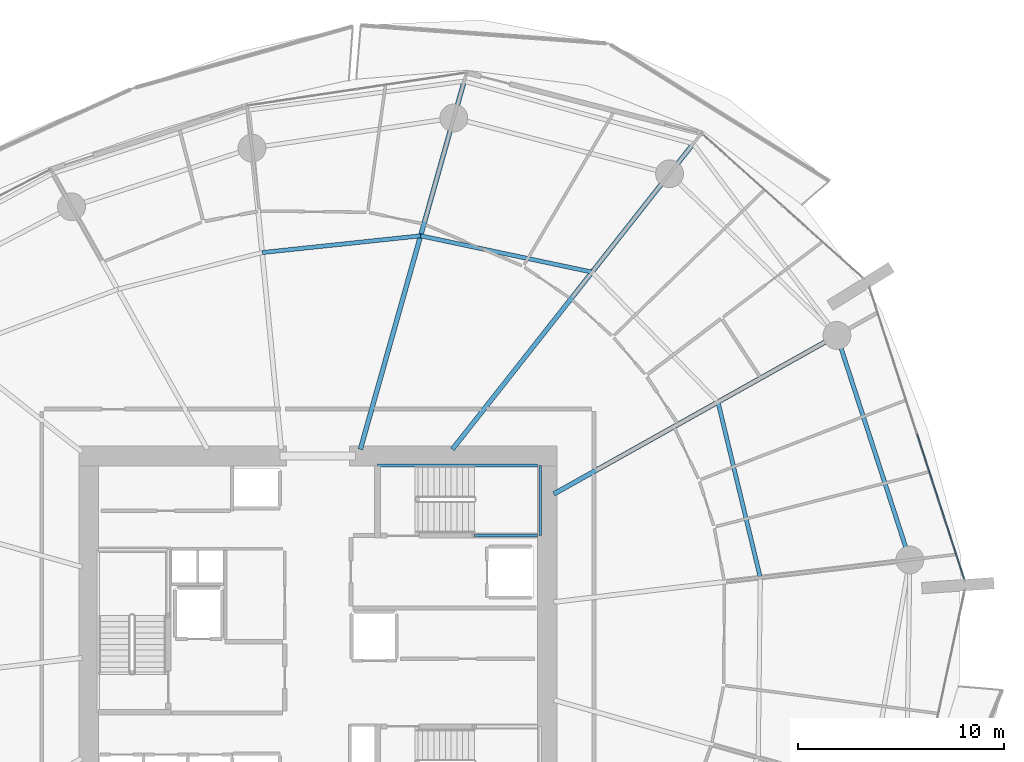
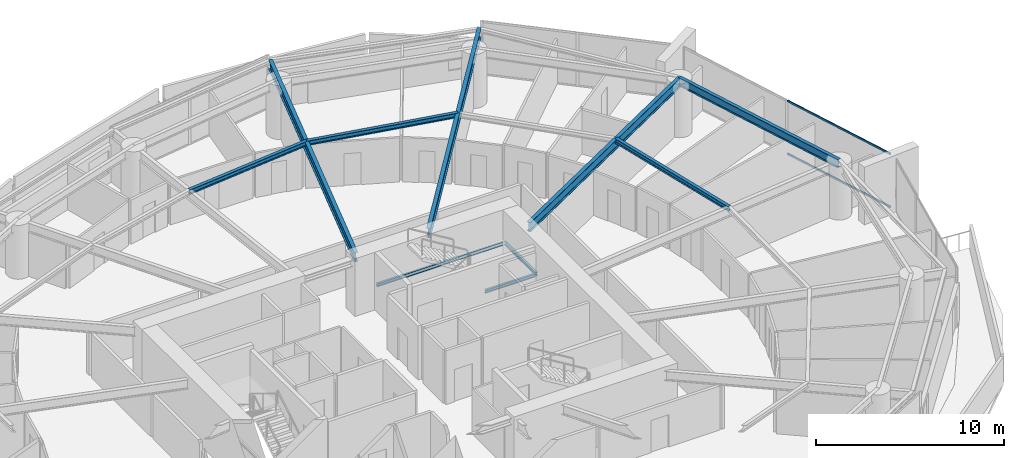
# One storey, part 14 of 31: 10 beams, 2 members, 1 element without a shape of its own.
"""IFC4 building model written with IfcOpenShell, lengths in metres."""

import ifcopenshell
import ifcopenshell.guid

model = None  # the IFC model being written
_history = None  # IfcOwnerHistory: only IFC2X3 demands one
_inside = {}  # id of a spatial element -> (the spatial element, [elements in it])
_under = {}  # id of a project, library or spatial element -> (it, [spatial elements below it])
_declared = {}  # id of a project -> (the project, [libraries it declares])
_typed = {}  # id of a type object -> (the type object, [elements of that type])
_made_of = {}  # id of a material, layer set ... -> (it, [elements and type objects made of it])


def new_model(schema):
    """Start an empty IFC model of exactly this schema.

    Asked for "IFC4X3", IfcOpenShell would pick the latest addendum, in which some entities
    have other attributes; the version numbers below select the first issue.
    IFC2X3 requires an IfcOwnerHistory on every rooted entity: one is made here for all.
    """
    global model, _history
    if schema == "IFC4X3":
        model = ifcopenshell.file(schema_version=(4, 3, 0, 0))
    else:
        model = ifcopenshell.file(schema=schema)
    _inside.clear()
    _under.clear()
    _declared.clear()
    _typed.clear()
    _made_of.clear()
    _history = None
    if model.schema == "IFC2X3":
        org = make("IfcOrganization", Name="unknown")
        user = make(
            "IfcPersonAndOrganization",
            ThePerson=make("IfcPerson", FamilyName="unknown"),
            TheOrganization=org,
        )
        app = make(
            "IfcApplication",
            ApplicationDeveloper=org,
            Version="unknown",
            ApplicationFullName="unknown",
            ApplicationIdentifier="unknown",
        )
        _history = make(
            "IfcOwnerHistory",
            OwningUser=user,
            OwningApplication=app,
            ChangeAction="ADDED",
            CreationDate=0,
        )
    return model


def make(cls, **values):
    """One entity of the class cls with the attributes given. An attribute that is None is left unset."""
    return model.create_entity(
        cls, **{name: value for name, value in values.items() if value is not None}
    )


def rooted(cls, **values):
    """An entity with a GlobalId (a new one), such as an element, a storey or a relation."""
    return make(cls, GlobalId=ifcopenshell.guid.new(), OwnerHistory=_history, **values)


def si_unit(unit_type, name, prefix=None):
    """IfcSIUnit, for example si_unit("LENGTHUNIT", "METRE", prefix="MILLI")."""
    return make("IfcSIUnit", UnitType=unit_type, Prefix=prefix, Name=name)


def assignment(units):
    """IfcUnitAssignment: the units of a project."""
    return None if units is None else make("IfcUnitAssignment", Units=units)


def point(xyz):
    """IfcCartesianPoint."""
    return None if xyz is None else make("IfcCartesianPoint", Coordinates=xyz)


def direction(xyz):
    """IfcDirection."""
    return None if xyz is None else make("IfcDirection", DirectionRatios=xyz)


def frame(location, z_axis=None, x_axis=None):
    """IfcAxis2Placement3D, a coordinate frame: its origin and axes. An axis left out is left unset."""
    return make(
        "IfcAxis2Placement3D",
        Location=point(location),
        Axis=direction(z_axis),
        RefDirection=direction(x_axis),
    )


def frame_2d(location, x_axis=None):
    """IfcAxis2Placement2D, a coordinate frame in the plane: its origin and x axis."""
    return make(
        "IfcAxis2Placement2D", Location=point(location), RefDirection=direction(x_axis)
    )


def origin():
    """The frame at (0, 0, 0) with its axes left unset."""
    return frame((0.0, 0.0, 0.0))


def origin_2d():
    """The frame at (0, 0) in the plane with its x axis left unset."""
    return frame_2d((0.0, 0.0))


def place(relative_to, where):
    """IfcLocalPlacement: puts the frame where relative to a parent placement (None: the world)."""
    return make(
        "IfcLocalPlacement", PlacementRelTo=relative_to, RelativePlacement=where
    )


def context(
    kind, dimensions, precision=None, world=None, true_north=None, identifier=None
):
    """IfcGeometricRepresentationContext, for example the 3D "Model" context."""
    return make(
        "IfcGeometricRepresentationContext",
        ContextIdentifier=identifier,
        ContextType=kind,
        CoordinateSpaceDimension=dimensions,
        Precision=precision,
        WorldCoordinateSystem=world,
        TrueNorth=true_north,
    )


def subcontext(parent, identifier, kind, view, scale=None):
    """IfcGeometricRepresentationSubContext, for example "Body" below "Model"."""
    return make(
        "IfcGeometricRepresentationSubContext",
        ContextIdentifier=identifier,
        ContextType=kind,
        ParentContext=parent,
        TargetScale=scale,
        TargetView=view,
    )


def project(units=None, contexts=None):
    """IfcProject with its units and contexts."""
    return rooted(
        "IfcProject",
        Name="project",
        RepresentationContexts=contexts,
        UnitsInContext=assignment(units),
    )


def spatial(cls, under=None, at=None, **own):
    """A site, building, storey or space (cls), placed at a placement, below another one or the project."""
    s = rooted(cls, ObjectPlacement=at, **own)
    if under is not None:
        _under.setdefault(under.id(), (under, []))[1].append(s)
    return s


def profile(cls, at=None, kind="AREA", **sizes):
    """A parametric profile (cls). Its sizes go by their IFC names, for example OverallWidth=200.0."""
    return make(cls, ProfileType=kind, Position=at, **sizes)


def rectangle(**sizes):
    """IfcRectangleProfileDef."""
    return profile("IfcRectangleProfileDef", **sizes)


def i_section(**sizes):
    """IfcIShapeProfileDef."""
    return profile("IfcIShapeProfileDef", **sizes)


def extrude(swept, where, along, depth):
    """IfcExtrudedAreaSolid: the profile swept, set in the frame where, extruded along a direction by depth."""
    return make(
        "IfcExtrudedAreaSolid",
        SweptArea=swept,
        Position=where,
        ExtrudedDirection=direction(along),
        Depth=depth,
    )


def shape(context_of_items, identifier, shape_type, items):
    """IfcShapeRepresentation: the items that make up one representation, for example the "Body"."""
    return make(
        "IfcShapeRepresentation",
        ContextOfItems=context_of_items,
        RepresentationIdentifier=identifier,
        RepresentationType=shape_type,
        Items=items,
    )


def material(Name=None, Category=None):
    """IfcMaterial."""
    return make("IfcMaterial", Name=Name, Category=Category)


def layer(
    of_material, thickness, ventilated=None, Name=None, Category=None, Priority=None
):
    """IfcMaterialLayer: one layer of a wall or slab, of a material (None: an air gap)."""
    return make(
        "IfcMaterialLayer",
        Material=of_material,
        LayerThickness=thickness,
        IsVentilated=ventilated,
        Name=Name,
        Category=Category,
        Priority=Priority,
    )


def layer_set(layers, Name=None):
    """IfcMaterialLayerSet."""
    return make("IfcMaterialLayerSet", MaterialLayers=layers, LayerSetName=Name)


def material_profile(
    of_material, cross_section, Name=None, Category=None, Priority=None
):
    """IfcMaterialProfile: a cross section and its material."""
    return make(
        "IfcMaterialProfile",
        Name=Name,
        Material=of_material,
        Profile=cross_section,
        Priority=Priority,
        Category=Category,
    )


def profile_set(profiles, Name=None, composite=None):
    """IfcMaterialProfileSet."""
    return make(
        "IfcMaterialProfileSet",
        Name=Name,
        MaterialProfiles=profiles,
        CompositeProfile=composite,
    )


def made_of(thing, what):
    """Note that an element or type object is made of a material, layer set ...; save() writes the relation."""
    if what is not None:
        _made_of.setdefault(what.id(), (what, []))[1].append(thing)
    return thing


def type_object(cls, material=None, **own):
    """A type object (cls), such as IfcWallType, which elements share."""
    return made_of(rooted(cls, **own), material)


def element(
    cls,
    number,
    at=None,
    inside=None,
    cuts=None,
    type_object=None,
    material=None,
    context=None,
    identifier="Body",
    shape_type=None,
    held_by="IfcProductDefinitionShape",
    body=None,
    shapes=None,
    **own,
):
    """One element of the class cls, such as IfcWall. Its Tag is "e" and its number.

    at: its placement. inside: the storey or other place that contains it. cuts: it is an
    opening in that element (IfcRelVoidsElement). A single representation is given by context,
    identifier, shape_type and body (its items); several are given by shapes. held_by: the class
    of the entity that holds the representations. save() writes the other relations.
    """
    e = rooted(cls, Tag="e%d" % number, ObjectPlacement=at, **own)
    if body is not None:
        shapes = [shape(context, identifier, shape_type, body)]
    if shapes is not None:
        e.Representation = make(held_by, Representations=shapes)
    if inside is not None:
        _inside.setdefault(inside.id(), (inside, []))[1].append(e)
    if cuts is not None:
        rooted(
            "IfcRelVoidsElement", RelatingBuildingElement=cuts, RelatedOpeningElement=e
        )
    if type_object is not None:
        _typed.setdefault(type_object.id(), (type_object, []))[1].append(e)
    return made_of(e, material)


def aggregate(whole, parts):
    """IfcRelAggregates: a whole, such as a stair, and the parts it consists of."""
    return rooted("IfcRelAggregates", RelatingObject=whole, RelatedObjects=parts)


def save(model, path):
    """Write the relations noted so far, then the file.

    IfcRelAggregates (storeys below a building ...), IfcRelContainedInSpatialStructure (elements
    in a storey), IfcRelDefinesByType, IfcRelAssociatesMaterial and IfcRelDeclares: one each for
    every whole, place, type object, material and project.
    """
    for whole, parts in _under.values():
        aggregate(whole, parts)
    for where, things in _inside.values():
        rooted(
            "IfcRelContainedInSpatialStructure",
            RelatedElements=things,
            RelatingStructure=where,
        )
    for kind, things in _typed.values():
        rooted("IfcRelDefinesByType", RelatedObjects=things, RelatingType=kind)
    for what, things in _made_of.values():
        rooted("IfcRelAssociatesMaterial", RelatedObjects=things, RelatingMaterial=what)
    for by, libraries in _declared.values():
        rooted("IfcRelDeclares", RelatingContext=by, RelatedDefinitions=libraries)
    model.write(path)


model = new_model("IFC4")

# Units and contexts
model_context = context("Model", 3, precision=1e-05, world=origin(), true_north=direction((0.0, 1.0)))
body_context = subcontext(model_context, "Body", "Model", "MODEL_VIEW")
ifc_project = project(units=[si_unit("LENGTHUNIT", "METRE"), si_unit("AREAUNIT", "SQUARE_METRE"), si_unit("VOLUMEUNIT", "CUBIC_METRE"), si_unit("PLANEANGLEUNIT", "RADIAN"), si_unit("MASSUNIT", "GRAM", prefix="KILO")], contexts=[model_context])

# Site, building, storey
site_placement = place(None, origin())
site = spatial("IfcSite", under=ifc_project, at=site_placement, CompositionType="ELEMENT")
building_placement = place(site_placement, origin())
building = spatial("IfcBuilding", under=site, at=building_placement, Name="Kazma Halo Residences", CompositionType="ELEMENT")
storey_placement = place(building_placement, frame((0.0, 0.0, 33.89990234375)))
storey = spatial("IfcBuildingStorey", under=building, at=storey_placement, Name="L07", CompositionType="ELEMENT", Elevation=33.89990234375)

# Beams
ifc_material_1 = material(Name="Steel S355", Category="steel")
ifc_material_profile_1 = material_profile(ifc_material_1, i_section(OverallWidth=0.22802734375, OverallDepth=0.60791015625, WebThickness=0.01123046875, FlangeThickness=0.017333984375, FilletRadius=0.01806640625, at=origin_2d()), Name="W610x113")
ifc_profile_set_1 = profile_set([ifc_material_profile_1], Name="Steel S355")
beam_type_1 = type_object("IfcBeamType", Name="BM-RAD-W610", PredefinedType="BEAM", material=ifc_profile_set_1)
beam_1_placement = place(storey_placement, frame((59.85009765625, 48.63623046875, 3.196044921875), z_axis=(0.872489859828, 0.48863221803, 0.0), x_axis=(-0.48863221803, 0.872489859828, 0.0)))
element("IfcBeam", 1, at=beam_1_placement, inside=storey, type_object=beam_type_1, Name="L07 radial floor beam 01", PredefinedType="BEAM", context=body_context, shape_type="SweptSolid", body=[
    extrude(i_section(OverallWidth=0.22802734375, OverallDepth=0.60791015625, WebThickness=0.01123046875, FlangeThickness=0.017333984375, FilletRadius=0.01806640625, at=origin_2d()), origin(), (0.0, 0.0, 1.0), 15.71923828125),
])
beam_2_placement = place(storey_placement, frame((54.9375, 50.800048828125, 3.196044921875), z_axis=(0.619092154321, 0.785318345932, 0.0), x_axis=(-0.785318345932, 0.619092154321, 0.0)))
element("IfcBeam", 2, at=beam_2_placement, inside=storey, type_object=beam_type_1, Name="L07 radial floor beam 02", PredefinedType="BEAM", context=body_context, shape_type="SweptSolid", body=[
    extrude(i_section(OverallWidth=0.22802734375, OverallDepth=0.60791015625, WebThickness=0.01123046875, FlangeThickness=0.017333984375, FilletRadius=0.01806640625, at=origin_2d()), origin(), (0.0, 0.0, 1.0), 18.84375),
])
beam_3_placement = place(storey_placement, frame((50.48193359375, 50.800048828125, 3.196044921875), z_axis=(0.271442010129, 0.962454796412, 0.0), x_axis=(-0.962454796412, 0.271442010129, 0.0)))
element("IfcBeam", 3, at=beam_3_placement, inside=storey, type_object=beam_type_1, Name="L07 radial floor beam 03", PredefinedType="BEAM", context=body_context, shape_type="SweptSolid", body=[
    extrude(i_section(OverallWidth=0.22802734375, OverallDepth=0.60791015625, WebThickness=0.01123046875, FlangeThickness=0.017333984375, FilletRadius=0.01806640625, at=origin_2d()), origin(), (0.0, 0.0, 1.0), 18.525390625),
])
ifc_material_profile_2 = material_profile(ifc_material_1, i_section(OverallWidth=0.202880859375, OverallDepth=0.302978515625, WebThickness=0.007568359375, FlangeThickness=0.01318359375, FilletRadius=0.013916015625, at=origin_2d()), Name="W310x60")
ifc_profile_set_2 = profile_set([ifc_material_profile_2], Name="Steel S355")
beam_type_2 = type_object("IfcBeamType", Name="BM-SEC-W310A", PredefinedType="JOIST", material=ifc_profile_set_2)
beam_4_placement = place(storey_placement, frame((61.703857421875, 59.383056640625, 3.3486328125), z_axis=(-0.97831665719, 0.207114746615, 0.0), x_axis=(-0.207114746615, -0.97831665719, 0.0)))
element("IfcBeam", 4, at=beam_4_placement, inside=storey, type_object=beam_type_2, Name="L07 circumferential floor joist 02", PredefinedType="JOIST", context=body_context, shape_type="SweptSolid", body=[
    extrude(i_section(OverallWidth=0.202880859375, OverallDepth=0.302978515625, WebThickness=0.007568359375, FlangeThickness=0.01318359375, FilletRadius=0.013916015625, at=origin_2d()), origin(), (0.0, 0.0, 1.0), 8.489501953125),
])
beam_5_placement = place(storey_placement, frame((53.3984375, 61.141357421875, 3.3486328125), z_axis=(-0.994456114777, -0.10515244069, 0.0), x_axis=(0.10515244069, -0.994456114777, 0.0)))
element("IfcBeam", 5, at=beam_5_placement, inside=storey, type_object=beam_type_2, Name="L07 circumferential floor joist 03", PredefinedType="JOIST", context=body_context, shape_type="SweptSolid", body=[
    extrude(i_section(OverallWidth=0.202880859375, OverallDepth=0.302978515625, WebThickness=0.007568359375, FlangeThickness=0.01318359375, FilletRadius=0.013916015625, at=origin_2d()), origin(), (0.0, 0.0, 1.0), 7.717529296875),
])
beam_6_placement = place(storey_placement, frame((69.853759765625, 44.586669921875, 3.3486328125), z_axis=(-0.234233116199, 0.972180460242, 0.0), x_axis=(-0.972180460242, -0.234233116199, 0.0)))
element("IfcBeam", 6, at=beam_6_placement, inside=storey, type_object=beam_type_2, Name="L07 circumferential floor joist 16", PredefinedType="JOIST", context=body_context, shape_type="SweptSolid", body=[
    extrude(i_section(OverallWidth=0.202880859375, OverallDepth=0.302978515625, WebThickness=0.007568359375, FlangeThickness=0.01318359375, FilletRadius=0.013916015625, at=origin_2d()), origin(), (0.0, 0.0, 1.0), 8.748046875),
])
ifc_material_profile_3 = material_profile(ifc_material_1, i_section(OverallWidth=0.208984375, OverallDepth=0.532958984375, WebThickness=0.01025390625, FlangeThickness=0.015625, FilletRadius=0.01611328125, at=origin_2d()), Name="W530x92")
ifc_profile_set_3 = profile_set([ifc_material_profile_3], Name="Steel S355")
beam_type_3 = type_object("IfcBeamType", Name="BM-SPN-W530", PredefinedType="BEAM", material=ifc_profile_set_3)
beam_7_placement = place(storey_placement, frame((77.097900390625, 45.444091796875, 3.233642578125), z_axis=(-0.309024264898, 0.951054153928, 0.0), x_axis=(-0.951054153928, -0.309024264898, 0.0)))
element("IfcBeam", 7, at=beam_7_placement, inside=storey, type_object=beam_type_3, Name="L07 perimeter ring beam 16", PredefinedType="BEAM", context=body_context, shape_type="SweptSolid", body=[
    extrude(i_section(OverallWidth=0.208984375, OverallDepth=0.532958984375, WebThickness=0.01025390625, FlangeThickness=0.015625, FilletRadius=0.01611328125, at=origin_2d()), origin(), (0.0, 0.0, 1.0), 11.4326171875),
])
ifc_material_profile_4 = material_profile(ifc_material_1, i_section(OverallWidth=0.133056640625, OverallDepth=0.20703125, WebThickness=0.005859375, FlangeThickness=0.00830078125, FilletRadius=0.010009765625, at=origin_2d()), Name="W200x26.6")
ifc_profile_set_4 = profile_set([ifc_material_profile_4], Name="Steel S355")
beam_type_4 = type_object("IfcBeamType", Name="BM-TRIM-W200", PredefinedType="BEAM", material=ifc_profile_set_4)
beam_8_placement = place(storey_placement, frame((51.31005859375, 50.02001953125, 1.570068359375), z_axis=(1.0, 0.0, 0.0), x_axis=(0.0, 1.0, 0.0)))
element("IfcBeam", 8, at=beam_8_placement, inside=storey, type_object=beam_type_4, Name="L07 ST-02 landing north wall ledger", PredefinedType="BEAM", context=body_context, shape_type="SweptSolid", body=[
    extrude(i_section(OverallWidth=0.133056640625, OverallDepth=0.20703125, WebThickness=0.005859375, FlangeThickness=0.00830078125, FilletRadius=0.010009765625, at=origin_2d()), origin(), (0.0, 0.0, 1.0), 7.760009765625),
])
beam_9_placement = place(storey_placement, frame((56.0, 46.6201171875, 1.570068359375), z_axis=(1.0, 0.0, 0.0), x_axis=(0.0, 1.0, 0.0)))
element("IfcBeam", 9, at=beam_9_placement, inside=storey, type_object=beam_type_4, Name="L07 ST-02 landing south wall ledger", PredefinedType="BEAM", context=body_context, shape_type="SweptSolid", body=[
    extrude(i_section(OverallWidth=0.133056640625, OverallDepth=0.20703125, WebThickness=0.005859375, FlangeThickness=0.00830078125, FilletRadius=0.010009765625, at=origin_2d()), origin(), (0.0, 0.0, 1.0), 3.070068359375),
])
beam_10_placement = place(storey_placement, frame((59.18994140625, 46.6201171875, 1.570068359375), z_axis=(0.0, 1.0, 0.0), x_axis=(-1.0, 0.0, 0.0)))
element("IfcBeam", 10, at=beam_10_placement, inside=storey, type_object=beam_type_4, Name="L07 ST-02 landing end wall ledger", PredefinedType="BEAM", context=body_context, shape_type="SweptSolid", body=[
    extrude(i_section(OverallWidth=0.133056640625, OverallDepth=0.20703125, WebThickness=0.005859375, FlangeThickness=0.00830078125, FilletRadius=0.010009765625, at=origin_2d()), origin(), (0.0, 0.0, 1.0), 3.39990234375),
])

# Curtain wall, members
ifc_material_2 = material(Name="Aluminium AW-6063 T6 and Triple-Silver Low-E Glass", Category="aluminium")
ifc_layer = layer(ifc_material_2, 0.159912109375)
ifc_layer_set = layer_set([ifc_layer], Name="Aluminium AW-6063 T6 and Triple-Silver Low-E Glass")
curtain_wall_type = type_object("IfcCurtainWallType", Name="CW-SYS-2", PredefinedType="NOTDEFINED", material=ifc_layer_set)
curtain_wall_placement = place(storey_placement, origin())
curtain_wall = element("IfcCurtainWall", 11, at=curtain_wall_placement, inside=storey, type_object=curtain_wall_type, Name="L07 unitised curtain wall B16", PredefinedType="NOTDEFINED")
ifc_material_3 = material(Name="Aluminium AW-6063 T6", Category="aluminium")
ifc_material_profile_5 = material_profile(ifc_material_3, rectangle(XDim=0.06005859375, YDim=0.1201171875, at=origin_2d()), Name="CWT-60x120")
ifc_profile_set_5 = profile_set([ifc_material_profile_5], Name="Aluminium AW-6063 T6")
member_type = type_object("IfcMemberType", Name="CW-SYS-2-TRN", PredefinedType="USERDEFINED", material=ifc_profile_set_5)
member_1_placement = place(storey_placement, frame((79.72900390625, 44.52783203125, 0.030029296875), z_axis=(-0.309034393795, 0.951050862705, 0.0), x_axis=(-0.951050862705, -0.309034393795, 0.0)))
member_1 = element("IfcMember", 12, at=member_1_placement, type_object=member_type, Name="CWS-2 transom 1.1", ObjectType="TRANSOM", PredefinedType="USERDEFINED", context=body_context, shape_type="SweptSolid", body=[
    extrude(rectangle(XDim=0.06005859375, YDim=0.1201171875, at=origin_2d()), origin(), (0.0, 0.0, 1.0), 7.370849609375),
])
member_2_placement = place(storey_placement, frame((79.72900390625, 44.52783203125, 3.47021484375), z_axis=(-0.309034393795, 0.951050862705, 0.0), x_axis=(-0.951050862705, -0.309034393795, 0.0)))
member_2 = element("IfcMember", 13, at=member_2_placement, type_object=member_type, Name="CWS-2 transom 1.2", ObjectType="TRANSOM", PredefinedType="USERDEFINED", context=body_context, shape_type="SweptSolid", body=[
    extrude(rectangle(XDim=0.06005859375, YDim=0.1201171875, at=origin_2d()), origin(), (0.0, 0.0, 1.0), 7.370849609375),
])
aggregate(curtain_wall, [member_1, member_2])

save(model, "model.ifc")
